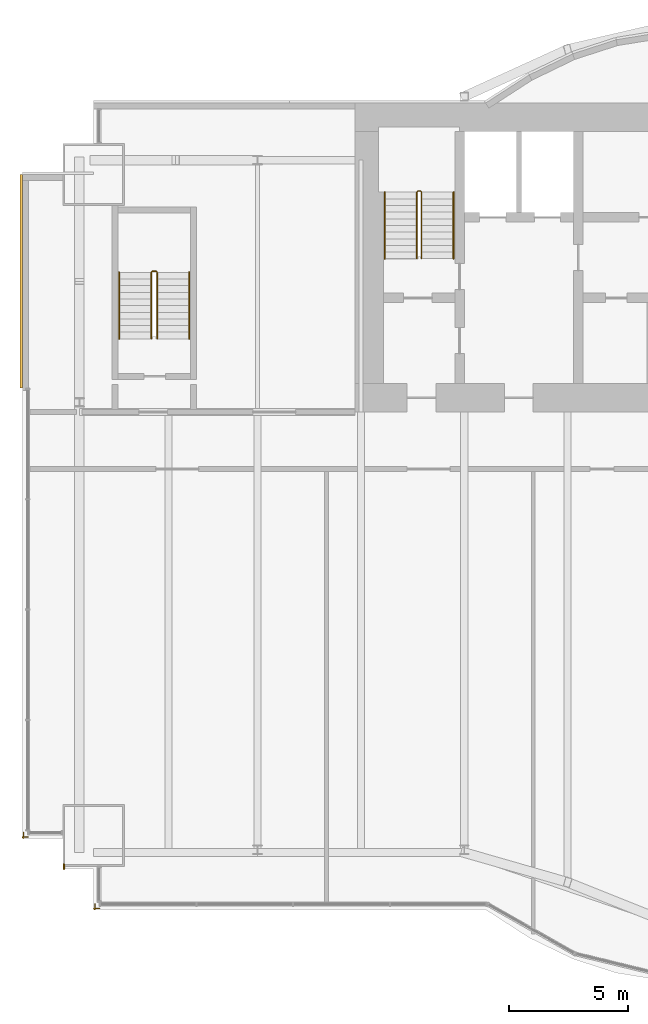
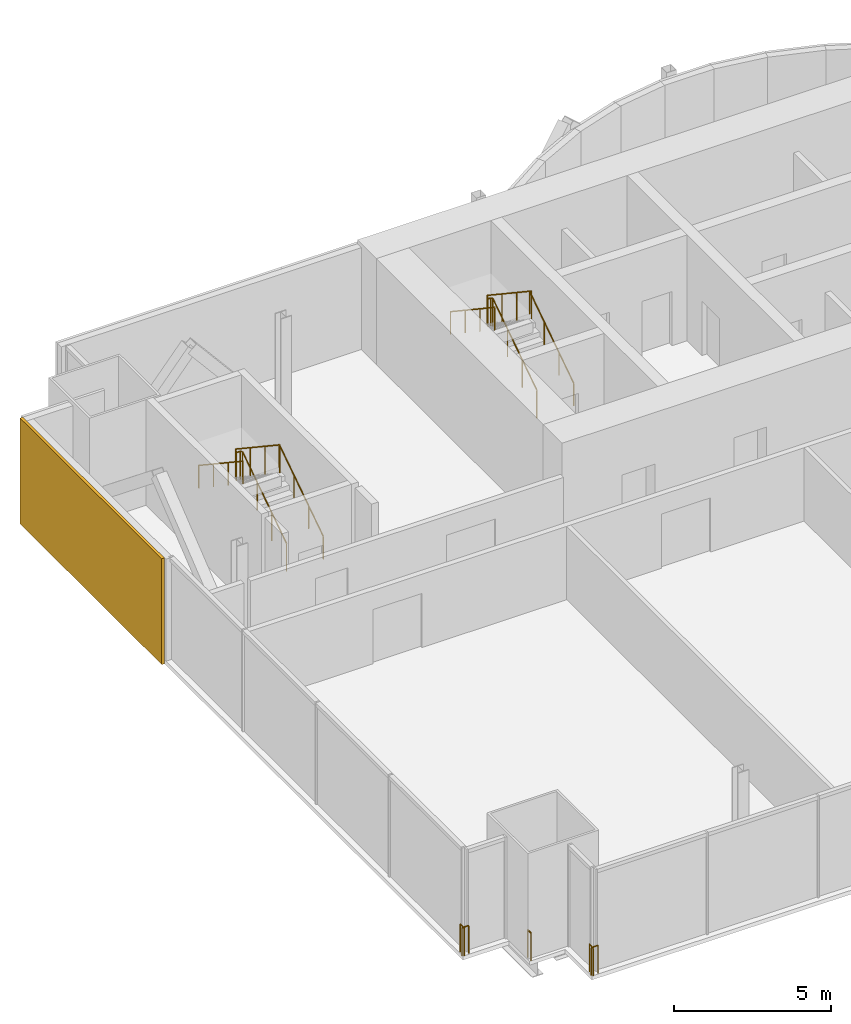
# One storey, part 18 of 20: 9 railings, 1 covering.
"""IFC4 building model written with IfcOpenShell, lengths in metres."""

from ifc_helpers import new_model, si_unit, direction, frame, origin, origin_2d, place, context, subcontext, project, spatial, rectangle, circle, extrude, material, layer, layer_set, type_object, element, save


model = new_model("IFC4")

# Units and contexts
model_context = context("Model", 3, precision=1e-05, world=origin(), true_north=direction((0.0, 1.0)))
body_context = subcontext(model_context, "Body", "Model", "MODEL_VIEW")
ifc_project = project(units=[si_unit("LENGTHUNIT", "METRE"), si_unit("AREAUNIT", "SQUARE_METRE"), si_unit("VOLUMEUNIT", "CUBIC_METRE"), si_unit("PLANEANGLEUNIT", "RADIAN"), si_unit("MASSUNIT", "GRAM", prefix="KILO")], contexts=[model_context])

# Site, building, storey
site_placement = place(None, origin())
site = spatial("IfcSite", under=ifc_project, at=site_placement, CompositionType="ELEMENT")
building_placement = place(site_placement, origin())
building = spatial("IfcBuilding", under=site, at=building_placement, Name="Bicima Exchange Tower", CompositionType="ELEMENT")
storey_placement = place(building_placement, frame((0.0, 0.0, 177.300048828125)))
storey = spatial("IfcBuildingStorey", under=building, at=storey_placement, Name="L39", CompositionType="ELEMENT", Elevation=177.300048828125)

# Covering
ifc_material_1 = material(Name="Bronze metal cladding")
ifc_layer_1 = layer(ifc_material_1, 0.004)
ifc_material_2 = material(Name="Ventilated cavity")
ifc_layer_2 = layer(ifc_material_2, 0.06)
ifc_material_3 = material(Name="Galvanised steel rail and mineral wool", Category="steel")
ifc_layer_3 = layer(ifc_material_3, 0.036)
ifc_layer_set = layer_set([ifc_layer_1, ifc_layer_2, ifc_layer_3], Name="Ventilated cavity")
covering_type = type_object("IfcCoveringType", Name="Bronze metal cladding panel 100", PredefinedType="CLADDING", material=ifc_layer_set)
covering_placement = place(storey_placement, frame((-36.050048828125, -7.5, -0.150146484375), z_axis=(0.0, 0.0, 1.0), x_axis=(0.0, -1.0, 0.0)))
element("IfcCovering", 1, at=covering_placement, inside=storey, type_object=covering_type, Name="Bronze cladding L39 23.1", PredefinedType="CLADDING", context=body_context, shape_type="SweptSolid", body=[
    extrude(rectangle(XDim=9.0, YDim=0.10009765625, at=origin_2d()), origin(), (0.0, 0.0, 1.0), 4.10009765625),
])

# Railings
ifc_material_4 = material(Name="Stainless steel and bonded safety glass", Category="steel")
railing_type_1 = type_object("IfcRailingType", Name="Edge guard 1100", PredefinedType="GUARDRAIL", material=ifc_material_4)
railing_1_placement = place(storey_placement, frame((-35.757080078125, -30.89794921875, 0.0)))
element("IfcRailing", 2, at=railing_1_placement, inside=storey, type_object=railing_type_1, Name="Edge guard L39 197", PredefinedType="GUARDRAIL", context=body_context, shape_type="SweptSolid", body=[
    extrude(circle(Radius=0.02392578125, at=origin_2d()), frame((0.0, 0.0, 1.076171875), z_axis=(-1.0, 0.0, 0.0), x_axis=(0.0, -1.0, 0.0)), (0.0, 0.0, 1.0), 0.242919921875),
    extrude(circle(Radius=0.02392578125, at=origin_2d()), frame((-0.242919921875, 0.0, 1.076171875), z_axis=(0.707106781187, -0.707106781187, 0.0), x_axis=(0.707106781187, 0.707106781187, 0.0)), (0.0, 0.0, 1.0), 0.07080078125),
    extrude(circle(Radius=0.02392578125, at=origin_2d()), frame((-0.19287109375, -0.050048828125, 1.076171875), z_axis=(0.0, 1.0, 0.0), x_axis=(-1.0, 0.0, 0.0)), (0.0, 0.0, 1.0), 0.25),
    extrude(circle(Radius=0.02099609375, at=origin_2d()), origin(), (0.0, 0.0, 1.0), 1.052001953125),
    extrude(circle(Radius=0.02099609375, at=origin_2d()), frame((-0.242919921875, 0.0, 0.0)), (0.0, 0.0, 1.0), 1.052001953125),
    extrude(circle(Radius=0.02099609375, at=origin_2d()), frame((-0.19287109375, -0.050048828125, 0.0)), (0.0, 0.0, 1.0), 1.052001953125),
    extrude(circle(Radius=0.02099609375, at=origin_2d()), frame((-0.19287109375, 0.199951171875, 0.0)), (0.0, 0.0, 1.0), 1.052001953125),
])
railing_2_placement = place(storey_placement, frame((-32.75, -33.89794921875, 0.0)))
element("IfcRailing", 3, at=railing_2_placement, inside=storey, type_object=railing_type_1, Name="Edge guard L39 201", PredefinedType="GUARDRAIL", context=body_context, shape_type="SweptSolid", body=[
    extrude(circle(Radius=0.02392578125, at=origin_2d()), frame((0.0, 0.0, 1.076171875), z_axis=(-1.0, 0.0, 0.0), x_axis=(0.0, -1.0, 0.0)), (0.0, 0.0, 1.0), 0.25),
    extrude(circle(Radius=0.02392578125, at=origin_2d()), frame((-0.25, 0.0, 1.076171875), z_axis=(0.707106781187, -0.707106781187, 0.0), x_axis=(0.707106781187, 0.707106781187, 0.0)), (0.0, 0.0, 1.0), 0.07080078125),
    extrude(circle(Radius=0.02392578125, at=origin_2d()), frame((-0.199951171875, -0.050048828125, 1.076171875), z_axis=(0.0, 1.0, 0.0), x_axis=(-1.0, 0.0, 0.0)), (0.0, 0.0, 1.0), 0.242919921875),
    extrude(circle(Radius=0.02099609375, at=origin_2d()), origin(), (0.0, 0.0, 1.0), 1.052001953125),
    extrude(circle(Radius=0.02099609375, at=origin_2d()), frame((-0.25, 0.0, 0.0)), (0.0, 0.0, 1.0), 1.052001953125),
    extrude(circle(Radius=0.02099609375, at=origin_2d()), frame((-0.199951171875, -0.050048828125, 0.0)), (0.0, 0.0, 1.0), 1.052001953125),
    extrude(circle(Radius=0.02099609375, at=origin_2d()), frame((-0.199951171875, 0.19287109375, 0.0)), (0.0, 0.0, 1.0), 1.052001953125),
])
railing_3_placement = place(storey_placement, frame((-34.25, -32.248046875, 0.0)))
element("IfcRailing", 4, at=railing_3_placement, inside=storey, type_object=railing_type_1, Name="Edge guard L39 202", PredefinedType="GUARDRAIL", context=body_context, shape_type="SweptSolid", body=[
    extrude(circle(Radius=0.02392578125, at=origin_2d()), frame((0.0, 0.0, 1.076171875), z_axis=(0.0, 1.0, 0.0), x_axis=(-1.0, 0.0, 0.0)), (0.0, 0.0, 1.0), 0.217041015625),
    extrude(circle(Radius=0.02099609375, at=origin_2d()), origin(), (0.0, 0.0, 1.0), 1.052001953125),
    extrude(circle(Radius=0.02099609375, at=origin_2d()), frame((0.0, 0.217041015625, 0.0)), (0.0, 0.0, 1.0), 1.052001953125),
])
ifc_material_5 = material(Name="Stainless steel", Category="steel")
railing_type_2 = type_object("IfcRailingType", Name="Stair guard 1100", PredefinedType="GUARDRAIL", material=ifc_material_5)
railing_4_placement = place(storey_placement, frame((-19.199951171875, -6.550048828125, 0.186279296875)))
element("IfcRailing", 5, at=railing_4_placement, inside=storey, type_object=railing_type_2, Name="L39 ST-W stair guard 1", PredefinedType="GUARDRAIL", context=body_context, shape_type="SweptSolid", body=[
    extrude(circle(Radius=0.02392578125, at=origin_2d()), frame((0.0, 0.0, 1.076171875), z_axis=(0.0, 0.832452072856, 0.554097055034), x_axis=(-1.0, 0.0, 0.0)), (0.0, 0.0, 1.0), 3.363525390625),
    extrude(circle(Radius=0.02392578125, at=origin_2d()), frame((0.0, 2.800048828125, 2.93994140625), z_axis=(-0.707106781187, 0.707106781187, 0.0), x_axis=(-0.707106781187, -0.707106781187, 0.0)), (0.0, 0.0, 1.0), 0.07080078125),
    extrude(circle(Radius=0.02392578125, at=origin_2d()), frame((-0.050048828125, 2.85009765625, 2.93994140625), z_axis=(-1.0, 0.0, 0.0), x_axis=(0.0, -1.0, 0.0)), (0.0, 0.0, 1.0), 0.10009765625),
    extrude(circle(Radius=0.02392578125, at=origin_2d()), frame((-0.150146484375, 2.85009765625, 2.93994140625), z_axis=(-0.250008635948, -0.251234168477, 0.935081319748), x_axis=(0.708833529934, -0.705375805398, 0.0)), (0.0, 0.0, 1.0), 0.19921875),
    extrude(circle(Radius=0.02392578125, at=origin_2d()), frame((-0.199951171875, 2.800048828125, 3.1259765625), z_axis=(0.0, -0.832485552168, 0.554046753832), x_axis=(1.0, 0.0, 0.0)), (0.0, 0.0, 1.0), 3.363525390625),
    extrude(circle(Radius=0.02099609375, at=origin_2d()), origin(), (0.0, 0.0, 1.0), 1.052001953125),
    extrude(circle(Radius=0.02099609375, at=origin_2d()), frame((0.0, 0.933349609375, 0.621337890625)), (0.0, 0.0, 1.0), 1.052001953125),
    extrude(circle(Radius=0.02099609375, at=origin_2d()), frame((0.0, 1.86669921875, 1.242431640625)), (0.0, 0.0, 1.0), 1.052001953125),
    extrude(circle(Radius=0.02099609375, at=origin_2d()), frame((0.0, 2.800048828125, 1.86376953125)), (0.0, 0.0, 1.0), 1.052001953125),
    extrude(circle(Radius=0.02099609375, at=origin_2d()), frame((-0.050048828125, 2.85009765625, 1.86376953125)), (0.0, 0.0, 1.0), 1.052001953125),
    extrude(circle(Radius=0.02099609375, at=origin_2d()), frame((-0.150146484375, 2.85009765625, 1.86376953125)), (0.0, 0.0, 1.0), 1.052001953125),
    extrude(circle(Radius=0.02099609375, at=origin_2d()), frame((-0.199951171875, 2.800048828125, 2.050048828125)), (0.0, 0.0, 1.0), 1.052001953125),
    extrude(circle(Radius=0.02099609375, at=origin_2d()), frame((-0.199951171875, 1.86669921875, 2.671142578125)), (0.0, 0.0, 1.0), 1.052001953125),
    extrude(circle(Radius=0.02099609375, at=origin_2d()), frame((-0.199951171875, 0.933349609375, 3.29248046875)), (0.0, 0.0, 1.0), 1.052001953125),
    extrude(circle(Radius=0.02099609375, at=origin_2d()), frame((-0.199951171875, 0.0, 3.91357421875)), (0.0, 0.0, 1.0), 1.052001953125),
])
railing_5_placement = place(storey_placement, frame((-30.324951171875, -9.925048828125, 0.186279296875)))
element("IfcRailing", 6, at=railing_5_placement, inside=storey, type_object=railing_type_2, Name="L39 ST-WW stair guard 1", PredefinedType="GUARDRAIL", context=body_context, shape_type="SweptSolid", body=[
    extrude(circle(Radius=0.02392578125, at=origin_2d()), frame((0.0, 0.0, 1.076171875), z_axis=(0.0, 0.832452072856, 0.554097055034), x_axis=(-1.0, 0.0, 0.0)), (0.0, 0.0, 1.0), 3.363525390625),
    extrude(circle(Radius=0.02392578125, at=origin_2d()), frame((0.0, 2.800048828125, 2.93994140625), z_axis=(-0.707106781187, 0.707106781187, 0.0), x_axis=(-0.707106781187, -0.707106781187, 0.0)), (0.0, 0.0, 1.0), 0.07080078125),
    extrude(circle(Radius=0.02392578125, at=origin_2d()), frame((-0.050048828125, 2.85009765625, 2.93994140625), z_axis=(-1.0, 0.0, 0.0), x_axis=(0.0, -1.0, 0.0)), (0.0, 0.0, 1.0), 0.14990234375),
    extrude(circle(Radius=0.02392578125, at=origin_2d()), frame((-0.199951171875, 2.85009765625, 2.93994140625), z_axis=(-0.251157038772, -0.251157038772, 0.934794246747), x_axis=(0.707106781187, -0.707106781187, 0.0)), (0.0, 0.0, 1.0), 0.19921875),
    extrude(circle(Radius=0.02392578125, at=origin_2d()), frame((-0.25, 2.800048828125, 3.1259765625), z_axis=(0.0, -0.832485552168, 0.554046753832), x_axis=(1.0, 0.0, 0.0)), (0.0, 0.0, 1.0), 3.363525390625),
    extrude(circle(Radius=0.02099609375, at=origin_2d()), origin(), (0.0, 0.0, 1.0), 1.052001953125),
    extrude(circle(Radius=0.02099609375, at=origin_2d()), frame((0.0, 0.933349609375, 0.621337890625)), (0.0, 0.0, 1.0), 1.052001953125),
    extrude(circle(Radius=0.02099609375, at=origin_2d()), frame((0.0, 1.86669921875, 1.242431640625)), (0.0, 0.0, 1.0), 1.052001953125),
    extrude(circle(Radius=0.02099609375, at=origin_2d()), frame((0.0, 2.800048828125, 1.86376953125)), (0.0, 0.0, 1.0), 1.052001953125),
    extrude(circle(Radius=0.02099609375, at=origin_2d()), frame((-0.050048828125, 2.85009765625, 1.86376953125)), (0.0, 0.0, 1.0), 1.052001953125),
    extrude(circle(Radius=0.02099609375, at=origin_2d()), frame((-0.199951171875, 2.85009765625, 1.86376953125)), (0.0, 0.0, 1.0), 1.052001953125),
    extrude(circle(Radius=0.02099609375, at=origin_2d()), frame((-0.25, 2.800048828125, 2.050048828125)), (0.0, 0.0, 1.0), 1.052001953125),
    extrude(circle(Radius=0.02099609375, at=origin_2d()), frame((-0.25, 1.86669921875, 2.671142578125)), (0.0, 0.0, 1.0), 1.052001953125),
    extrude(circle(Radius=0.02099609375, at=origin_2d()), frame((-0.25, 0.933349609375, 3.29248046875)), (0.0, 0.0, 1.0), 1.052001953125),
    extrude(circle(Radius=0.02099609375, at=origin_2d()), frame((-0.25, 0.0, 3.91357421875)), (0.0, 0.0, 1.0), 1.052001953125),
])
railing_type_3 = type_object("IfcRailingType", Name="Stair handrail 900", PredefinedType="HANDRAIL", material=ifc_material_5)
railing_6_placement = place(storey_placement, frame((-17.85009765625, -6.550048828125, 0.186279296875)))
element("IfcRailing", 7, at=railing_6_placement, inside=storey, type_object=railing_type_3, Name="L39 ST-W stair handrail 1", PredefinedType="HANDRAIL", context=body_context, shape_type="SweptSolid", body=[
    extrude(circle(Radius=0.02392578125, at=origin_2d()), frame((0.0, 0.0, 0.8759765625), z_axis=(0.0, 0.832452072856, 0.554097055034), x_axis=(-1.0, 0.0, 0.0)), (0.0, 0.0, 1.0), 3.363525390625),
    extrude(circle(Radius=0.02099609375, at=origin_2d()), origin(), (0.0, 0.0, 1.0), 0.851806640625),
    extrude(circle(Radius=0.02099609375, at=origin_2d()), frame((0.0, 0.933349609375, 0.621337890625)), (0.0, 0.0, 1.0), 0.851806640625),
    extrude(circle(Radius=0.02099609375, at=origin_2d()), frame((0.0, 1.86669921875, 1.242431640625)), (0.0, 0.0, 1.0), 0.851806640625),
    extrude(circle(Radius=0.02099609375, at=origin_2d()), frame((0.0, 2.800048828125, 1.86376953125)), (0.0, 0.0, 1.0), 0.851806640625),
])
railing_7_placement = place(storey_placement, frame((-20.75, -3.75, 2.276611328125)))
element("IfcRailing", 8, at=railing_7_placement, inside=storey, type_object=railing_type_3, Name="L39 ST-W stair handrail 2", PredefinedType="HANDRAIL", context=body_context, shape_type="SweptSolid", body=[
    extrude(circle(Radius=0.02392578125, at=origin_2d()), frame((0.0, 0.0, 0.8759765625), z_axis=(0.0, -0.832452072856, 0.554097055034), x_axis=(1.0, 0.0, 0.0)), (0.0, 0.0, 1.0), 3.363525390625),
    extrude(circle(Radius=0.02099609375, at=origin_2d()), origin(), (0.0, 0.0, 1.0), 0.851806640625),
    extrude(circle(Radius=0.02099609375, at=origin_2d()), frame((0.0, -0.933349609375, 0.621337890625)), (0.0, 0.0, 1.0), 0.851806640625),
    extrude(circle(Radius=0.02099609375, at=origin_2d()), frame((0.0, -1.86669921875, 1.242431640625)), (0.0, 0.0, 1.0), 0.851806640625),
    extrude(circle(Radius=0.02099609375, at=origin_2d()), frame((0.0, -2.800048828125, 1.86376953125)), (0.0, 0.0, 1.0), 0.851806640625),
])
railing_8_placement = place(storey_placement, frame((-28.97509765625, -9.925048828125, 0.186279296875)))
element("IfcRailing", 9, at=railing_8_placement, inside=storey, type_object=railing_type_3, Name="L39 ST-WW stair handrail 1", PredefinedType="HANDRAIL", context=body_context, shape_type="SweptSolid", body=[
    extrude(circle(Radius=0.02392578125, at=origin_2d()), frame((0.0, 0.0, 0.8759765625), z_axis=(0.0, 0.832452072856, 0.554097055034), x_axis=(-1.0, 0.0, 0.0)), (0.0, 0.0, 1.0), 3.363525390625),
    extrude(circle(Radius=0.02099609375, at=origin_2d()), origin(), (0.0, 0.0, 1.0), 0.851806640625),
    extrude(circle(Radius=0.02099609375, at=origin_2d()), frame((0.0, 0.933349609375, 0.621337890625)), (0.0, 0.0, 1.0), 0.851806640625),
    extrude(circle(Radius=0.02099609375, at=origin_2d()), frame((0.0, 1.86669921875, 1.242431640625)), (0.0, 0.0, 1.0), 0.851806640625),
    extrude(circle(Radius=0.02099609375, at=origin_2d()), frame((0.0, 2.800048828125, 1.86376953125)), (0.0, 0.0, 1.0), 0.851806640625),
])
railing_9_placement = place(storey_placement, frame((-31.925048828125, -7.125, 2.276611328125)))
element("IfcRailing", 10, at=railing_9_placement, inside=storey, type_object=railing_type_3, Name="L39 ST-WW stair handrail 2", PredefinedType="HANDRAIL", context=body_context, shape_type="SweptSolid", body=[
    extrude(circle(Radius=0.02392578125, at=origin_2d()), frame((0.0, 0.0, 0.8759765625), z_axis=(0.0, -0.832452072856, 0.554097055034), x_axis=(1.0, 0.0, 0.0)), (0.0, 0.0, 1.0), 3.363525390625),
    extrude(circle(Radius=0.02099609375, at=origin_2d()), origin(), (0.0, 0.0, 1.0), 0.851806640625),
    extrude(circle(Radius=0.02099609375, at=origin_2d()), frame((0.0, -0.933349609375, 0.621337890625)), (0.0, 0.0, 1.0), 0.851806640625),
    extrude(circle(Radius=0.02099609375, at=origin_2d()), frame((0.0, -1.86669921875, 1.242431640625)), (0.0, 0.0, 1.0), 0.851806640625),
    extrude(circle(Radius=0.02099609375, at=origin_2d()), frame((0.0, -2.800048828125, 1.86376953125)), (0.0, 0.0, 1.0), 0.851806640625),
])

save(model, "model.ifc")
